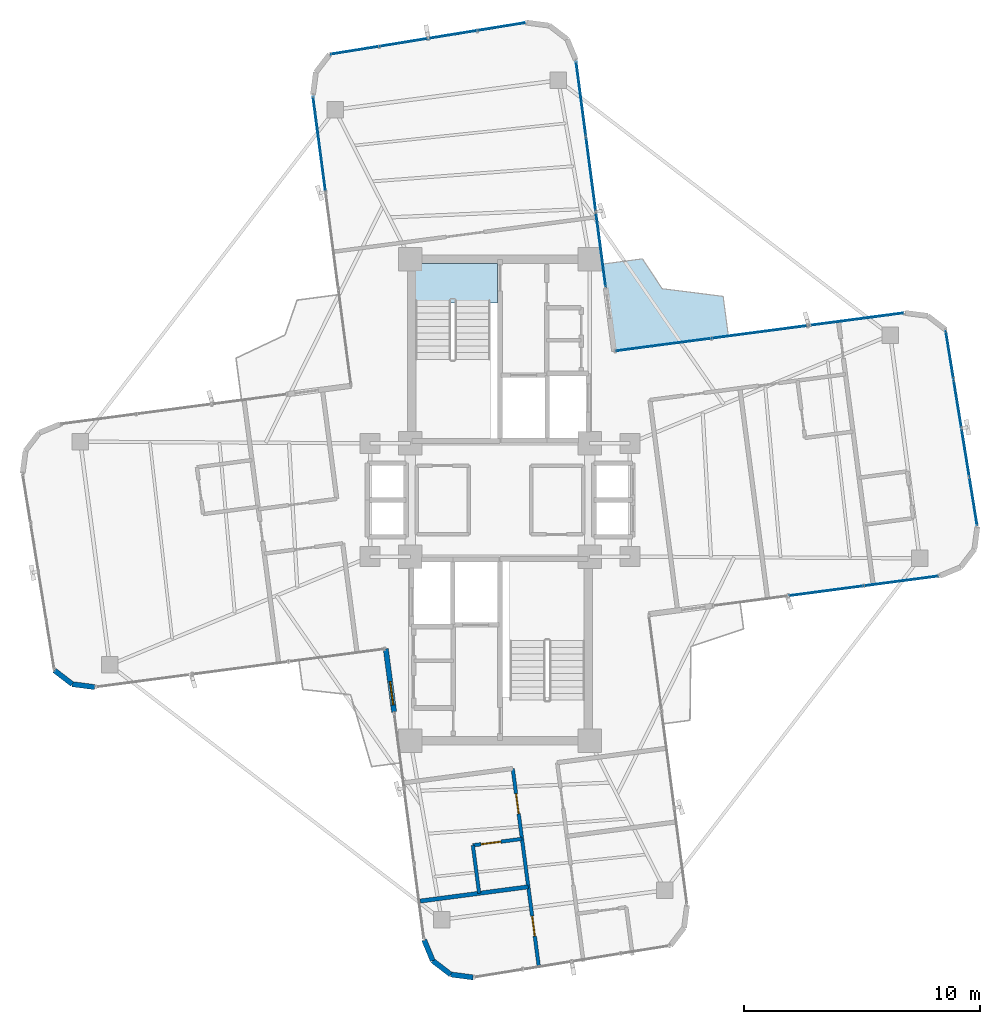
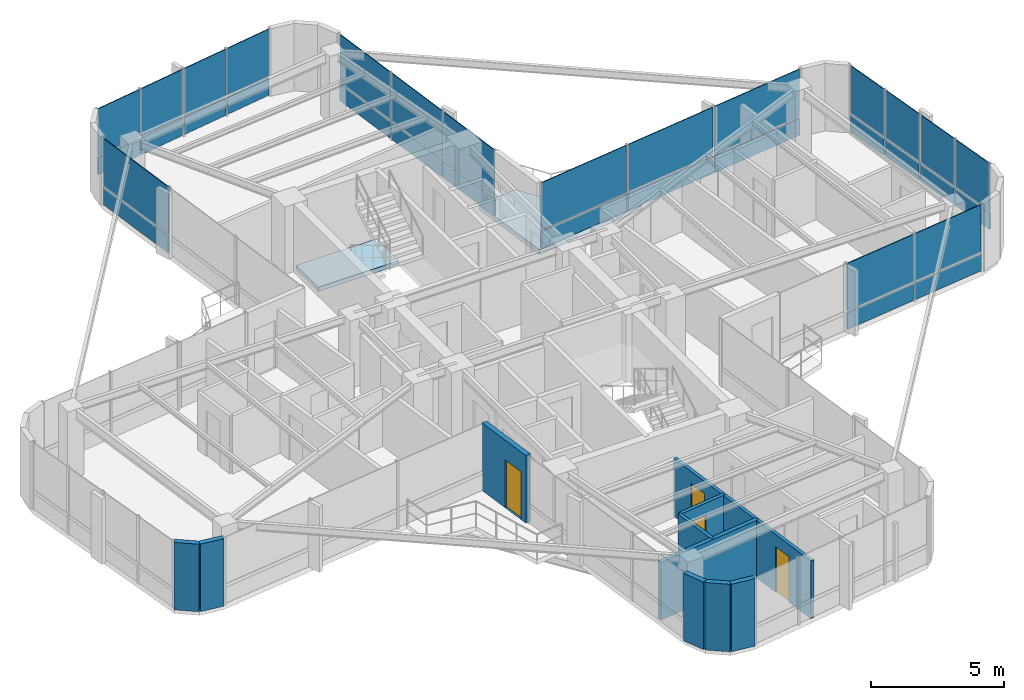
# One storey, part 18 of 22: 34 plates, 10 walls, 4 doors, 2 slabs, 4 openings, 6 elements without a shape of their own.
"""IFC4 building model written with IfcOpenShell, lengths in metres."""

from ifc_helpers import new_model, si_unit, direction, frame, frame_2d, origin, origin_2d, place, context, subcontext, project, spatial, polyline, rectangle, outline, extrude, source, transform, mapped, material, layer, layer_set, type_object, element, fill, aggregate, save


model = new_model("IFC4")

# Units and contexts
model_context = context("Model", 3, precision=1e-05, world=origin(), true_north=direction((0.0, 1.0)))
body_context = subcontext(model_context, "Body", "Model", "MODEL_VIEW")
ifc_project = project(units=[si_unit("LENGTHUNIT", "METRE"), si_unit("AREAUNIT", "SQUARE_METRE"), si_unit("VOLUMEUNIT", "CUBIC_METRE"), si_unit("PLANEANGLEUNIT", "RADIAN"), si_unit("MASSUNIT", "GRAM", prefix="KILO")], contexts=[model_context])

# Site, building, storey
site_placement = place(None, origin())
site = spatial("IfcSite", under=ifc_project, at=site_placement, CompositionType="ELEMENT")
building_placement = place(site_placement, origin())
building = spatial("IfcBuilding", under=site, at=building_placement, Name="Sahyath Konkavel Grand Hotel", CompositionType="ELEMENT")
storey_placement = place(building_placement, frame((0.0, 0.0, 241.14990234375)))
storey = spatial("IfcBuildingStorey", under=building, at=storey_placement, Name="L67", CompositionType="ELEMENT", Elevation=241.14990234375)

# Slabs
ifc_material_1 = material(Name="Concrete C40/50", Category="concrete")
ifc_layer_1 = layer(ifc_material_1, 0.219970703125)
ifc_layer_set_1 = layer_set([ifc_layer_1], Name="Concrete C40/50")
slab_type_1 = type_object("IfcSlabType", Name="SLB-BALCONY-220", PredefinedType="FLOOR", material=ifc_layer_set_1)
slab_1_placement = place(storey_placement, frame((0.0, 0.0, -0.219970703125)))
element("IfcSlab", 1, at=slab_1_placement, inside=storey, type_object=slab_type_1, Name="L67 Winter-Garden Balcony NE", PredefinedType="FLOOR", context=body_context, shape_type="SweptSolid", body=[
    extrude(outline(polyline([(4.839111328125, 6.306640625), (9.676513671875, 6.943359375), (9.454833984375, 8.62744140625), (6.8701171875, 8.953369140625), (6.03759765625, 10.217529296875), (4.353515625, 9.995849609375), (4.839111328125, 6.306640625)])), origin(), (0.0, 0.0, 1.0), 0.219970703125),
])
ifc_layer_2 = layer(ifc_material_1, 0.199951171875)
ifc_layer_set_2 = layer_set([ifc_layer_2], Name="Concrete C40/50")
slab_type_2 = type_object("IfcSlabType", Name="SLB-STAIR-LND", PredefinedType="LANDING", material=ifc_layer_set_2)
slab_2_placement = place(storey_placement, frame((0.0, 0.0, -0.199951171875)))
element("IfcSlab", 2, at=slab_2_placement, inside=storey, type_object=slab_type_2, Name="L67 Stair ST-1 Floor Landing Slab", PredefinedType="LANDING", context=body_context, shape_type="SweptSolid", body=[
    extrude(outline(polyline([(-3.6201171875, 8.35009765625), (-0.10009765625, 8.35009765625), (-0.10009765625, 10.02001953125), (-3.6201171875, 10.02001953125), (-3.6201171875, 8.35009765625)])), origin(), (0.0, 0.0, 1.0), 0.199951171875),
])

# Curtain wall, plates
ifc_material_2 = material(Name="Anodised Bronze Aluminium & Low-E Glazing", Category="aluminium")
curtain_wall_type = type_object("IfcCurtainWallType", Name="CW-ZONE4", PredefinedType="NOTDEFINED", material=ifc_material_2)
curtain_wall_1_placement = place(storey_placement, origin())
curtain_wall_1 = element("IfcCurtainWall", 3, at=curtain_wall_1_placement, inside=storey, type_object=curtain_wall_type, Name="L67 Unitised Curtain Wall F0", PredefinedType="NOTDEFINED")
ifc_material_3 = material(Name="Warm Buff Sandstone Cladding", Category="masonry")
ifc_layer_3 = layer(ifc_material_3, 0.074951171875)
ifc_layer_set_3 = layer_set([ifc_layer_3], Name="Warm Buff Sandstone Cladding")
plate_type_1 = type_object("IfcPlateType", Name="PNL-SPANDREL-STONE", PredefinedType="SHEET", material=ifc_layer_set_3)
shared_shape_1 = source(origin(), body_context, "Body", "SweptSolid", [
    extrude(rectangle(XDim=3.138671875, YDim=0.074951171875, at=origin_2d()), origin(), (0.0, 0.0, 1.0), 0.77001953125),
])
plate_1_placement = place(storey_placement, frame((13.809814453125, -3.851318359375, 0.0400390625), z_axis=(0.0, 0.0, 1.0), x_axis=(0.991444861374, 0.13052619222, 0.0)))
plate_1 = element("IfcPlate", 4, at=plate_1_placement, type_object=plate_type_1, Name="L67 Sandstone Relief Spandrel Panel F0-1", PredefinedType="SHEET", context=body_context, shape_type="MappedRepresentation", body=[
    mapped(shared_shape_1, transform((0.0, 0.0, 0.0), scale=1.0)),
])
plate_2_placement = place(storey_placement, frame((17.0009765625, -3.431396484375, 0.0400390625), z_axis=(0.0, 0.0, 1.0), x_axis=(0.991444861374, 0.13052619222, 0.0)))
plate_2 = element("IfcPlate", 5, at=plate_2_placement, type_object=plate_type_1, Name="L67 Sandstone Relief Spandrel Panel F0-2", PredefinedType="SHEET", context=body_context, shape_type="MappedRepresentation", body=[
    mapped(shared_shape_1, transform((0.0, 0.0, 0.0), scale=1.0)),
])

curtain_wall_2_placement = place(storey_placement, origin())
curtain_wall_2 = element("IfcCurtainWall", 6, at=curtain_wall_2_placement, inside=storey, type_object=curtain_wall_type, Name="L67 Unitised Curtain Wall F8", PredefinedType="NOTDEFINED")
plate_3_placement = place(storey_placement, frame((4.271484375, 10.61865234375, 0.0400390625), z_axis=(0.0, 0.0, 1.0), x_axis=(-0.13052619222, 0.991444861374, 0.0)))
plate_3 = element("IfcPlate", 7, at=plate_3_placement, type_object=plate_type_1, Name="L67 Sandstone Relief Spandrel Panel F8-0", PredefinedType="SHEET", context=body_context, shape_type="MappedRepresentation", body=[
    mapped(shared_shape_1, transform((0.0, 0.0, 0.0), scale=1.0)),
])
plate_4_placement = place(storey_placement, frame((3.851318359375, 13.809814453125, 0.0400390625), z_axis=(0.0, 0.0, 1.0), x_axis=(-0.13052619222, 0.991444861374, 0.0)))
plate_4 = element("IfcPlate", 8, at=plate_4_placement, type_object=plate_type_1, Name="L67 Sandstone Relief Spandrel Panel F8-1", PredefinedType="SHEET", context=body_context, shape_type="MappedRepresentation", body=[
    mapped(shared_shape_1, transform((0.0, 0.0, 0.0), scale=1.0)),
])
plate_5_placement = place(storey_placement, frame((3.431396484375, 17.0009765625, 0.0400390625), z_axis=(0.0, 0.0, 1.0), x_axis=(-0.13052619222, 0.991444861374, 0.0)))
plate_5 = element("IfcPlate", 9, at=plate_5_placement, type_object=plate_type_1, Name="L67 Sandstone Relief Spandrel Panel F8-2", PredefinedType="SHEET", context=body_context, shape_type="MappedRepresentation", body=[
    mapped(shared_shape_1, transform((0.0, 0.0, 0.0), scale=1.0)),
])

# Plate
ifc_material_4 = material(Name="Low-E Solar Control Double Glazing", Category="glass")
ifc_layer_4 = layer(ifc_material_4, 0.035888671875)
ifc_layer_set_4 = layer_set([ifc_layer_4], Name="Low-E Solar Control Double Glazing")
plate_type_2 = type_object("IfcPlateType", Name="PNL-VISION-LOWE", PredefinedType="CURTAIN_PANEL", material=ifc_layer_set_4)
shared_shape_2 = source(origin(), body_context, "Body", "SweptSolid", [
    extrude(rectangle(XDim=3.138671875, YDim=0.035888671875, at=origin_2d()), origin(), (0.0, 0.0, 1.0), 2.179931640625),
])
plate_6_placement = place(storey_placement, frame((13.809814453125, -3.851318359375, 0.89013671875), z_axis=(0.0, 0.0, 1.0), x_axis=(0.991444861374, 0.13052619222, 0.0)))
plate_6 = element("IfcPlate", 10, at=plate_6_placement, type_object=plate_type_2, Name="L67 Low-E Vision Glazing Panel F0-1", PredefinedType="CURTAIN_PANEL", context=body_context, shape_type="MappedRepresentation", body=[
    mapped(shared_shape_2, transform((0.0, 0.0, 0.0), scale=1.0)),
])

plate_7_placement = place(storey_placement, frame((17.0009765625, -3.431396484375, 0.89013671875), z_axis=(0.0, 0.0, 1.0), x_axis=(0.991444861374, 0.13052619222, 0.0)))
plate_7 = element("IfcPlate", 11, at=plate_7_placement, type_object=plate_type_2, Name="L67 Low-E Vision Glazing Panel F0-2", PredefinedType="CURTAIN_PANEL", context=body_context, shape_type="MappedRepresentation", body=[
    mapped(shared_shape_2, transform((0.0, 0.0, 0.0), scale=1.0)),
])

aggregate(curtain_wall_1, [plate_1, plate_6, plate_2, plate_7])

plate_8_placement = place(storey_placement, frame((4.271484375, 10.61865234375, 0.89013671875), z_axis=(0.0, 0.0, 1.0), x_axis=(-0.13052619222, 0.991444861374, 0.0)))
plate_8 = element("IfcPlate", 12, at=plate_8_placement, type_object=plate_type_2, Name="L67 Low-E Vision Glazing Panel F8-0", PredefinedType="CURTAIN_PANEL", context=body_context, shape_type="MappedRepresentation", body=[
    mapped(shared_shape_2, transform((0.0, 0.0, 0.0), scale=1.0)),
])

plate_9_placement = place(storey_placement, frame((3.851318359375, 13.809814453125, 0.89013671875), z_axis=(0.0, 0.0, 1.0), x_axis=(-0.13052619222, 0.991444861374, 0.0)))
plate_9 = element("IfcPlate", 13, at=plate_9_placement, type_object=plate_type_2, Name="L67 Low-E Vision Glazing Panel F8-1", PredefinedType="CURTAIN_PANEL", context=body_context, shape_type="MappedRepresentation", body=[
    mapped(shared_shape_2, transform((0.0, 0.0, 0.0), scale=1.0)),
])

plate_10_placement = place(storey_placement, frame((3.431396484375, 17.0009765625, 0.89013671875), z_axis=(0.0, 0.0, 1.0), x_axis=(-0.13052619222, 0.991444861374, 0.0)))
plate_10 = element("IfcPlate", 14, at=plate_10_placement, type_object=plate_type_2, Name="L67 Low-E Vision Glazing Panel F8-2", PredefinedType="CURTAIN_PANEL", context=body_context, shape_type="MappedRepresentation", body=[
    mapped(shared_shape_2, transform((0.0, 0.0, 0.0), scale=1.0)),
])

aggregate(curtain_wall_2, [plate_3, plate_8, plate_4, plate_9, plate_5, plate_10])

# Curtain wall, plates
curtain_wall_3_placement = place(storey_placement, origin())
curtain_wall_3 = element("IfcCurtainWall", 15, at=curtain_wall_3_placement, inside=storey, type_object=curtain_wall_type, Name="L67 Unitised Curtain Wall F4", PredefinedType="NOTDEFINED")
shared_shape_3 = source(origin(), body_context, "Body", "SweptSolid", [
    extrude(rectangle(XDim=2.017578125, YDim=0.074951171875, at=origin_2d()), origin(), (0.0, 0.0, 1.0), 0.77001953125),
])
plate_11_placement = place(storey_placement, frame((20.055419921875, -0.0654296875, 0.0400390625), z_axis=(0.0, 0.0, 1.0), x_axis=(-0.159484912927, 0.987200365959, 0.0)))
plate_11 = element("IfcPlate", 16, at=plate_11_placement, type_object=plate_type_1, Name="L67 Sandstone Relief Spandrel Panel F4-0", PredefinedType="SHEET", context=body_context, shape_type="MappedRepresentation", body=[
    mapped(shared_shape_3, transform((0.0, 0.0, 0.0), scale=1.0)),
])
plate_12_placement = place(storey_placement, frame((19.720703125, 2.00537109375, 0.0400390625), z_axis=(0.0, 0.0, 1.0), x_axis=(-0.159484912927, 0.987200365959, 0.0)))
plate_12 = element("IfcPlate", 17, at=plate_12_placement, type_object=plate_type_1, Name="L67 Sandstone Relief Spandrel Panel F4-1", PredefinedType="SHEET", context=body_context, shape_type="MappedRepresentation", body=[
    mapped(shared_shape_3, transform((0.0, 0.0, 0.0), scale=1.0)),
])
plate_13_placement = place(storey_placement, frame((19.38623046875, 4.076171875, 0.0400390625), z_axis=(0.0, 0.0, 1.0), x_axis=(-0.159484912927, 0.987200365959, 0.0)))
plate_13 = element("IfcPlate", 18, at=plate_13_placement, type_object=plate_type_1, Name="L67 Sandstone Relief Spandrel Panel F4-2", PredefinedType="SHEET", context=body_context, shape_type="MappedRepresentation", body=[
    mapped(shared_shape_3, transform((0.0, 0.0, 0.0), scale=1.0)),
])
plate_14_placement = place(storey_placement, frame((19.0517578125, 6.14697265625, 0.0400390625), z_axis=(0.0, 0.0, 1.0), x_axis=(-0.159484912927, 0.987200365959, 0.0)))
plate_14 = element("IfcPlate", 19, at=plate_14_placement, type_object=plate_type_1, Name="L67 Sandstone Relief Spandrel Panel F4-3", PredefinedType="SHEET", context=body_context, shape_type="MappedRepresentation", body=[
    mapped(shared_shape_3, transform((0.0, 0.0, 0.0), scale=1.0)),
])

curtain_wall_4_placement = place(storey_placement, origin())
curtain_wall_4 = element("IfcCurtainWall", 20, at=curtain_wall_4_placement, inside=storey, type_object=curtain_wall_type, Name="L67 Unitised Curtain Wall F12", PredefinedType="NOTDEFINED")
plate_15_placement = place(storey_placement, frame((0.0654296875, 20.055419921875, 0.0400390625), z_axis=(0.0, 0.0, 1.0), x_axis=(-0.987200365959, -0.159484912927, 0.0)))
plate_15 = element("IfcPlate", 21, at=plate_15_placement, type_object=plate_type_1, Name="L67 Sandstone Relief Spandrel Panel F12-0", PredefinedType="SHEET", context=body_context, shape_type="MappedRepresentation", body=[
    mapped(shared_shape_3, transform((0.0, 0.0, 0.0), scale=1.0)),
])
plate_16_placement = place(storey_placement, frame((-2.00537109375, 19.720703125, 0.0400390625), z_axis=(0.0, 0.0, 1.0), x_axis=(-0.987200365959, -0.159484912927, 0.0)))
plate_16 = element("IfcPlate", 22, at=plate_16_placement, type_object=plate_type_1, Name="L67 Sandstone Relief Spandrel Panel F12-1", PredefinedType="SHEET", context=body_context, shape_type="MappedRepresentation", body=[
    mapped(shared_shape_3, transform((0.0, 0.0, 0.0), scale=1.0)),
])
plate_17_placement = place(storey_placement, frame((-4.076171875, 19.38623046875, 0.0400390625), z_axis=(0.0, 0.0, 1.0), x_axis=(-0.987200365959, -0.159484912927, 0.0)))
plate_17 = element("IfcPlate", 23, at=plate_17_placement, type_object=plate_type_1, Name="L67 Sandstone Relief Spandrel Panel F12-2", PredefinedType="SHEET", context=body_context, shape_type="MappedRepresentation", body=[
    mapped(shared_shape_3, transform((0.0, 0.0, 0.0), scale=1.0)),
])
plate_18_placement = place(storey_placement, frame((-6.14697265625, 19.0517578125, 0.0400390625), z_axis=(0.0, 0.0, 1.0), x_axis=(-0.987200365959, -0.159484912927, 0.0)))
plate_18 = element("IfcPlate", 24, at=plate_18_placement, type_object=plate_type_1, Name="L67 Sandstone Relief Spandrel Panel F12-3", PredefinedType="SHEET", context=body_context, shape_type="MappedRepresentation", body=[
    mapped(shared_shape_3, transform((0.0, 0.0, 0.0), scale=1.0)),
])

# Plate
shared_shape_4 = source(origin(), body_context, "Body", "SweptSolid", [
    extrude(rectangle(XDim=2.017578125, YDim=0.035888671875, at=origin_2d()), origin(), (0.0, 0.0, 1.0), 2.179931640625),
])
plate_19_placement = place(storey_placement, frame((20.055419921875, -0.0654296875, 0.89013671875), z_axis=(0.0, 0.0, 1.0), x_axis=(-0.159484912927, 0.987200365959, 0.0)))
plate_19 = element("IfcPlate", 25, at=plate_19_placement, type_object=plate_type_2, Name="L67 Low-E Vision Glazing Panel F4-0", PredefinedType="CURTAIN_PANEL", context=body_context, shape_type="MappedRepresentation", body=[
    mapped(shared_shape_4, transform((0.0, 0.0, 0.0), scale=1.0)),
])

plate_20_placement = place(storey_placement, frame((19.720703125, 2.00537109375, 0.89013671875), z_axis=(0.0, 0.0, 1.0), x_axis=(-0.159484912927, 0.987200365959, 0.0)))
plate_20 = element("IfcPlate", 26, at=plate_20_placement, type_object=plate_type_2, Name="L67 Low-E Vision Glazing Panel F4-1", PredefinedType="CURTAIN_PANEL", context=body_context, shape_type="MappedRepresentation", body=[
    mapped(shared_shape_4, transform((0.0, 0.0, 0.0), scale=1.0)),
])

plate_21_placement = place(storey_placement, frame((19.38623046875, 4.076171875, 0.89013671875), z_axis=(0.0, 0.0, 1.0), x_axis=(-0.159484912927, 0.987200365959, 0.0)))
plate_21 = element("IfcPlate", 27, at=plate_21_placement, type_object=plate_type_2, Name="L67 Low-E Vision Glazing Panel F4-2", PredefinedType="CURTAIN_PANEL", context=body_context, shape_type="MappedRepresentation", body=[
    mapped(shared_shape_4, transform((0.0, 0.0, 0.0), scale=1.0)),
])

plate_22_placement = place(storey_placement, frame((19.0517578125, 6.14697265625, 0.89013671875), z_axis=(0.0, 0.0, 1.0), x_axis=(-0.159484912927, 0.987200365959, 0.0)))
plate_22 = element("IfcPlate", 28, at=plate_22_placement, type_object=plate_type_2, Name="L67 Low-E Vision Glazing Panel F4-3", PredefinedType="CURTAIN_PANEL", context=body_context, shape_type="MappedRepresentation", body=[
    mapped(shared_shape_4, transform((0.0, 0.0, 0.0), scale=1.0)),
])

aggregate(curtain_wall_3, [plate_11, plate_19, plate_12, plate_20, plate_13, plate_21, plate_14, plate_22])

plate_23_placement = place(storey_placement, frame((0.0654296875, 20.055419921875, 0.89013671875), z_axis=(0.0, 0.0, 1.0), x_axis=(-0.987200365959, -0.159484912927, 0.0)))
plate_23 = element("IfcPlate", 29, at=plate_23_placement, type_object=plate_type_2, Name="L67 Low-E Vision Glazing Panel F12-0", PredefinedType="CURTAIN_PANEL", context=body_context, shape_type="MappedRepresentation", body=[
    mapped(shared_shape_4, transform((0.0, 0.0, 0.0), scale=1.0)),
])

plate_24_placement = place(storey_placement, frame((-2.00537109375, 19.720703125, 0.89013671875), z_axis=(0.0, 0.0, 1.0), x_axis=(-0.987200365959, -0.159484912927, 0.0)))
plate_24 = element("IfcPlate", 30, at=plate_24_placement, type_object=plate_type_2, Name="L67 Low-E Vision Glazing Panel F12-1", PredefinedType="CURTAIN_PANEL", context=body_context, shape_type="MappedRepresentation", body=[
    mapped(shared_shape_4, transform((0.0, 0.0, 0.0), scale=1.0)),
])

plate_25_placement = place(storey_placement, frame((-4.076171875, 19.38623046875, 0.89013671875), z_axis=(0.0, 0.0, 1.0), x_axis=(-0.987200365959, -0.159484912927, 0.0)))
plate_25 = element("IfcPlate", 31, at=plate_25_placement, type_object=plate_type_2, Name="L67 Low-E Vision Glazing Panel F12-2", PredefinedType="CURTAIN_PANEL", context=body_context, shape_type="MappedRepresentation", body=[
    mapped(shared_shape_4, transform((0.0, 0.0, 0.0), scale=1.0)),
])

plate_26_placement = place(storey_placement, frame((-6.14697265625, 19.0517578125, 0.89013671875), z_axis=(0.0, 0.0, 1.0), x_axis=(-0.987200365959, -0.159484912927, 0.0)))
plate_26 = element("IfcPlate", 32, at=plate_26_placement, type_object=plate_type_2, Name="L67 Low-E Vision Glazing Panel F12-3", PredefinedType="CURTAIN_PANEL", context=body_context, shape_type="MappedRepresentation", body=[
    mapped(shared_shape_4, transform((0.0, 0.0, 0.0), scale=1.0)),
])

aggregate(curtain_wall_4, [plate_15, plate_23, plate_16, plate_24, plate_17, plate_25, plate_18, plate_26])

# Curtain wall, plates
curtain_wall_5_placement = place(storey_placement, origin())
curtain_wall_5 = element("IfcCurtainWall", 33, at=curtain_wall_5_placement, inside=storey, type_object=curtain_wall_type, Name="L67 Unitised Curtain Wall F7", PredefinedType="NOTDEFINED")
shared_shape_5 = source(origin(), body_context, "Body", "SweptSolid", [
    extrude(rectangle(XDim=4.038818359375, YDim=0.074951171875, at=origin_2d()), origin(), (0.0, 0.0, 1.0), 0.77001953125),
])
plate_27_placement = place(storey_placement, frame((15.08740234375, 7.65576171875, 0.0400390625), z_axis=(0.0, 0.0, 1.0), x_axis=(-0.991444861374, -0.13052619222, 0.0)))
plate_27 = element("IfcPlate", 34, at=plate_27_placement, type_object=plate_type_1, Name="L67 Sandstone Relief Spandrel Panel F7-0", PredefinedType="SHEET", context=body_context, shape_type="MappedRepresentation", body=[
    mapped(shared_shape_5, transform((0.0, 0.0, 0.0), scale=1.0)),
])
plate_28_placement = place(storey_placement, frame((11.00390625, 7.1181640625, 0.0400390625), z_axis=(0.0, 0.0, 1.0), x_axis=(-0.991444861374, -0.13052619222, 0.0)))
plate_28 = element("IfcPlate", 35, at=plate_28_placement, type_object=plate_type_1, Name="L67 Sandstone Relief Spandrel Panel F7-1", PredefinedType="SHEET", context=body_context, shape_type="MappedRepresentation", body=[
    mapped(shared_shape_5, transform((0.0, 0.0, 0.0), scale=1.0)),
])
plate_29_placement = place(storey_placement, frame((6.920654296875, 6.58056640625, 0.0400390625), z_axis=(0.0, 0.0, 1.0), x_axis=(-0.991444861374, -0.13052619222, 0.0)))
plate_29 = element("IfcPlate", 36, at=plate_29_placement, type_object=plate_type_1, Name="L67 Sandstone Relief Spandrel Panel F7-2", PredefinedType="SHEET", context=body_context, shape_type="MappedRepresentation", body=[
    mapped(shared_shape_5, transform((0.0, 0.0, 0.0), scale=1.0)),
])

# Curtain wall, plate
curtain_wall_6_placement = place(storey_placement, origin())
curtain_wall_6 = element("IfcCurtainWall", 37, at=curtain_wall_6_placement, inside=storey, type_object=curtain_wall_type, Name="L67 Unitised Curtain Wall F15", PredefinedType="NOTDEFINED")
plate_30_placement = place(storey_placement, frame((-7.65576171875, 15.08740234375, 0.0400390625), z_axis=(0.0, 0.0, 1.0), x_axis=(0.13052619222, -0.991444861374, 0.0)))
plate_30 = element("IfcPlate", 38, at=plate_30_placement, type_object=plate_type_1, Name="L67 Sandstone Relief Spandrel Panel F15-0", PredefinedType="SHEET", context=body_context, shape_type="MappedRepresentation", body=[
    mapped(shared_shape_5, transform((0.0, 0.0, 0.0), scale=1.0)),
])

# Plate
shared_shape_6 = source(origin(), body_context, "Body", "SweptSolid", [
    extrude(rectangle(XDim=4.038818359375, YDim=0.035888671875, at=origin_2d()), origin(), (0.0, 0.0, 1.0), 2.179931640625),
])
plate_31_placement = place(storey_placement, frame((15.08740234375, 7.65576171875, 0.89013671875), z_axis=(0.0, 0.0, 1.0), x_axis=(-0.991444861374, -0.13052619222, 0.0)))
plate_31 = element("IfcPlate", 39, at=plate_31_placement, type_object=plate_type_2, Name="L67 Low-E Vision Glazing Panel F7-0", PredefinedType="CURTAIN_PANEL", context=body_context, shape_type="MappedRepresentation", body=[
    mapped(shared_shape_6, transform((0.0, 0.0, 0.0), scale=1.0)),
])

plate_32_placement = place(storey_placement, frame((11.00390625, 7.1181640625, 0.89013671875), z_axis=(0.0, 0.0, 1.0), x_axis=(-0.991444861374, -0.13052619222, 0.0)))
plate_32 = element("IfcPlate", 40, at=plate_32_placement, type_object=plate_type_2, Name="L67 Low-E Vision Glazing Panel F7-1", PredefinedType="CURTAIN_PANEL", context=body_context, shape_type="MappedRepresentation", body=[
    mapped(shared_shape_6, transform((0.0, 0.0, 0.0), scale=1.0)),
])

plate_33_placement = place(storey_placement, frame((6.920654296875, 6.58056640625, 0.89013671875), z_axis=(0.0, 0.0, 1.0), x_axis=(-0.991444861374, -0.13052619222, 0.0)))
plate_33 = element("IfcPlate", 41, at=plate_33_placement, type_object=plate_type_2, Name="L67 Low-E Vision Glazing Panel F7-2", PredefinedType="CURTAIN_PANEL", context=body_context, shape_type="MappedRepresentation", body=[
    mapped(shared_shape_6, transform((0.0, 0.0, 0.0), scale=1.0)),
])

aggregate(curtain_wall_5, [plate_27, plate_31, plate_28, plate_32, plate_29, plate_33])

plate_34_placement = place(storey_placement, frame((-7.65576171875, 15.08740234375, 0.89013671875), z_axis=(0.0, 0.0, 1.0), x_axis=(0.13052619222, -0.991444861374, 0.0)))
plate_34 = element("IfcPlate", 42, at=plate_34_placement, type_object=plate_type_2, Name="L67 Low-E Vision Glazing Panel F15-0", PredefinedType="CURTAIN_PANEL", context=body_context, shape_type="MappedRepresentation", body=[
    mapped(shared_shape_6, transform((0.0, 0.0, 0.0), scale=1.0)),
])

aggregate(curtain_wall_6, [plate_30, plate_34])

# Walls
ifc_material_5 = material(Name="Warm Buff Sandstone Insulated Concrete C40/50", Category="masonry")
ifc_layer_5 = layer(ifc_material_5, 0.219970703125)
ifc_layer_set_5 = layer_set([ifc_layer_5], Name="Warm Buff Sandstone Insulated Concrete C40/50")
wall_type_1 = type_object("IfcWallType", Name="WLL-BALC-THRESH", PredefinedType="STANDARD", material=ifc_layer_set_5)
wall_1_placement = place(storey_placement, frame((-18.8779296875, -7.221923828125, 0.0), z_axis=(0.0, 0.0, 1.0), x_axis=(0.793372339443, -0.608736668033, 0.0)))
element("IfcWall", 43, at=wall_1_placement, inside=storey, type_object=wall_type_1, Name="L67 Rounded Corner Sandstone Pier 21", PredefinedType="STANDARD", context=body_context, shape_type="SweptSolid", body=[
    extrude(rectangle(XDim=0.957275390625, YDim=0.219970703125, at=frame_2d((0.478515625, 0.0))), origin(), (0.0, 0.0, 1.0), 3.110107421875),
])
wall_2_placement = place(storey_placement, frame((-18.118408203125, -7.8046875, 0.0), z_axis=(0.0, 0.0, 1.0), x_axis=(0.991449089759, -0.130494070426, 0.0)))
element("IfcWall", 44, at=wall_2_placement, inside=storey, type_object=wall_type_1, Name="L67 Rounded Corner Sandstone Pier 22", PredefinedType="STANDARD", context=body_context, shape_type="SweptSolid", body=[
    extrude(rectangle(XDim=0.9580078125, YDim=0.219970703125, at=frame_2d((0.47900390625, 0.0))), origin(), (0.0, 0.0, 1.0), 3.110107421875),
])

# Wall, opening, door
wall_3_placement = place(storey_placement, frame((-4.839111328125, -6.306640625, 0.0), z_axis=(0.0, 0.0, 1.0), x_axis=(0.130487261016, -0.991449985986, 0.0)))
wall_3 = element("IfcWall", 45, at=wall_3_placement, inside=storey, type_object=wall_type_1, Name="L67 Winter-Garden Threshold Wall 24", PredefinedType="STANDARD", context=body_context, shape_type="SweptSolid", body=[
    extrude(rectangle(XDim=2.699951171875, YDim=0.219970703125, at=frame_2d((1.35009765625, 0.0))), origin(), (0.0, 0.0, 1.0), 3.110107421875),
])
opening_1_placement = place(wall_3_placement, frame((1.39990234375, 0.0, 0.0)))
opening_1 = element("IfcOpeningElement", 46, at=opening_1_placement, cuts=wall_3, Name="Opening D-TR1", PredefinedType="OPENING", context=body_context, shape_type="SweptSolid", body=[
    extrude(rectangle(XDim=1.0, YDim=2.199951171875, at=frame_2d((0.5, 1.10009765625))), frame((0.0, 0.1201171875, 0.0), z_axis=(0.0, -1.0, 0.0), x_axis=(1.0, 0.0, 0.0)), (0.0, 0.0, 1.0), 0.239990234375),
])
door_type_1 = type_object("IfcDoorType", Name="DR-TERRACE-1000", OperationType="NOTDEFINED", PredefinedType="DOOR", material=ifc_material_2)
shared_shape_7 = source(origin(), body_context, "Body", "SweptSolid", [
    extrude(rectangle(XDim=1.0, YDim=0.050048828125, at=origin_2d()), origin(), (0.0, 0.0, 1.0), 2.199951171875),
])
door_1_placement = place(opening_1_placement, frame((0.5, 0.0, 0.0)))
door_1 = element("IfcDoor", 47, at=door_1_placement, inside=storey, type_object=door_type_1, Name="L67 Winter-Garden Terrace Door 24", OperationType="SINGLE_SWING_LEFT", OverallHeight=2.199951171875, OverallWidth=1.0, PredefinedType="DOOR", context=body_context, shape_type="MappedRepresentation", body=[
    mapped(shared_shape_7, transform((0.0, 0.0, 0.0), scale=1.0)),
])
fill(opening_1, door_1)

# Walls
for number, where, z_axis, x_axis, name in (
    (48, (-3.216064453125, -18.63623046875, 0.0), (0.0, 0.0, 1.0), (0.382659506909, -0.923889442397, 0.0), "L67 Rounded Corner Sandstone Pier 25"),
    (49, (-2.849609375, -19.52099609375, 0.0), (0.0, 0.0, 1.0), (0.793343685778, -0.608774010809, 0.0), "L67 Rounded Corner Sandstone Pier 26"),
    (50, (-2.08984375, -20.10400390625, 0.0), (0.0, 0.0, 1.0), (0.991444747987, -0.130527053476, 0.0), "L67 Rounded Corner Sandstone Pier 27"),
):
    element("IfcWall", number, at=place(storey_placement, frame(where, z_axis=z_axis, x_axis=x_axis)), inside=storey, type_object=wall_type_1, Name=name, PredefinedType="STANDARD", context=body_context, shape_type="SweptSolid", body=[
        extrude(rectangle(XDim=0.957763671875, YDim=0.219970703125, at=frame_2d((0.47900390625, 0.0))), origin(), (0.0, 0.0, 1.0), 3.110107421875),
    ])
ifc_material_6 = material(Name="Twin-Stud Acoustic Gypsum Plasterboard Partition")
ifc_layer_6 = layer(ifc_material_6, 0.179931640625)
ifc_layer_set_6 = layer_set([ifc_layer_6], Name="Twin-Stud Acoustic Gypsum Plasterboard Partition")
wall_type_2 = type_object("IfcWallType", Name="WLL-DEMISE-180", PredefinedType="PARTITIONING", material=ifc_layer_set_6)
wall_4_placement = place(storey_placement, frame((1.19970703125, -16.390625, 0.0), z_axis=(0.0, 0.0, 1.0), x_axis=(-0.991442063263, -0.130547444225, 0.0)))
element("IfcWall", 51, at=wall_4_placement, inside=storey, type_object=wall_type_2, Name="L67 Partition S-S1R-DEM", PredefinedType="PARTITIONING", context=body_context, shape_type="SweptSolid", body=[
    extrude(rectangle(XDim=4.62109375, YDim=0.179931640625, at=frame_2d((2.310546875, 0.0))), origin(), (0.0, 0.0, 1.0), 2.66015625),
])

# Wall, openings, doors
ifc_material_7 = material(Name="Fire-Rated Gypsum Plasterboard Partition")
ifc_layer_7 = layer(ifc_material_7, 0.14990234375)
ifc_layer_set_7 = layer_set([ifc_layer_7], Name="Fire-Rated Gypsum Plasterboard Partition")
wall_type_3 = type_object("IfcWallType", Name="WLL-PART-150", PredefinedType="PARTITIONING", material=ifc_layer_set_7)
wall_5_placement = place(storey_placement, frame((0.53955078125, -11.376953125, 0.0), z_axis=(0.0, 0.0, 1.0), x_axis=(0.130524297004, -0.991445110882, 0.0)))
wall_5 = element("IfcWall", 52, at=wall_5_placement, inside=storey, type_object=wall_type_3, Name="L67 Partition S-CR", PredefinedType="PARTITIONING", context=body_context, shape_type="SweptSolid", body=[
    extrude(rectangle(XDim=8.5068359375, YDim=0.14990234375, at=frame_2d((4.25341796875, 0.0))), origin(), (0.0, 0.0, 1.0), 2.66015625),
])
opening_2_placement = place(wall_5_placement, frame((1.0791015625, 0.0, 0.0)))
opening_2 = element("IfcOpeningElement", 53, at=opening_2_placement, cuts=wall_5, Name="Opening D-F06D", PredefinedType="OPENING", context=body_context, shape_type="SweptSolid", body=[
    extrude(rectangle(XDim=0.85009765625, YDim=2.10009765625, at=frame_2d((0.425048828125, 1.050048828125))), frame((0.0, 0.0849609375, 0.0), z_axis=(0.0, -1.0, 0.0), x_axis=(1.0, 0.0, 0.0)), (0.0, 0.0, 1.0), 0.169921875),
])
opening_3_placement = place(wall_5_placement, frame((6.306884765625, 0.0, 0.0)))
opening_3 = element("IfcOpeningElement", 54, at=opening_3_placement, cuts=wall_5, Name="Opening D-F06D", PredefinedType="OPENING", context=body_context, shape_type="SweptSolid", body=[
    extrude(rectangle(XDim=0.85009765625, YDim=2.10009765625, at=frame_2d((0.425048828125, 1.050048828125))), frame((0.0, 0.0849609375, 0.0), z_axis=(0.0, -1.0, 0.0), x_axis=(1.0, 0.0, 0.0)), (0.0, 0.0, 1.0), 0.169921875),
])
ifc_material_8 = material(Name="Fire-Rated Shaft Access Door")
door_type_2 = type_object("IfcDoorType", Name="DR-FD60-850", OperationType="NOTDEFINED", PredefinedType="DOOR", material=ifc_material_8)
shared_shape_8 = source(origin(), body_context, "Body", "SweptSolid", [
    extrude(rectangle(XDim=0.85009765625, YDim=0.050048828125, at=origin_2d()), origin(), (0.0, 0.0, 1.0), 2.10009765625),
])
door_2_placement = place(opening_2_placement, frame((0.425048828125, 0.0, 0.0)))
door_2 = element("IfcDoor", 55, at=door_2_placement, inside=storey, type_object=door_type_2, Name="L67 Door S-S1R-ED", OperationType="SINGLE_SWING_RIGHT", OverallHeight=2.10009765625, OverallWidth=0.85009765625, PredefinedType="DOOR", context=body_context, shape_type="MappedRepresentation", body=[
    mapped(shared_shape_8, transform((0.0, 0.0, 0.0), scale=1.0)),
])
fill(opening_2, door_2)
door_3_placement = place(opening_3_placement, frame((0.425048828125, 0.0, 0.0)))
door_3 = element("IfcDoor", 56, at=door_3_placement, inside=storey, type_object=door_type_2, Name="L67 Door S-S2R-D", OperationType="SINGLE_SWING_LEFT", OverallHeight=2.10009765625, OverallWidth=0.85009765625, PredefinedType="DOOR", context=body_context, shape_type="MappedRepresentation", body=[
    mapped(shared_shape_8, transform((0.0, 0.0, 0.0), scale=1.0)),
])
fill(opening_3, door_3)

# Wall, opening, door
wall_6_placement = place(storey_placement, frame((0.93212890625, -14.358154296875, 0.0), z_axis=(0.0, 0.0, 1.0), x_axis=(-0.991440836415, -0.130556761174, 0.0)))
wall_6 = element("IfcWall", 57, at=wall_6_placement, inside=storey, type_object=wall_type_3, Name="L67 Partition S-S1R-BS", PredefinedType="PARTITIONING", context=body_context, shape_type="SweptSolid", body=[
    extrude(rectangle(XDim=2.10009765625, YDim=0.14990234375, at=frame_2d((1.050048828125, 0.0))), origin(), (0.0, 0.0, 1.0), 2.66015625),
])
opening_4_placement = place(wall_6_placement, frame((0.89990234375, 0.0, 0.0)))
opening_4 = element("IfcOpeningElement", 58, at=opening_4_placement, cuts=wall_6, Name="Opening D-BT85", PredefinedType="OPENING", context=body_context, shape_type="SweptSolid", body=[
    extrude(rectangle(XDim=0.85009765625, YDim=2.10009765625, at=frame_2d((0.425048828125, 1.050048828125))), frame((0.0, 0.0849609375, 0.0), z_axis=(0.0, -1.0, 0.0), x_axis=(1.0, 0.0, 0.0)), (0.0, 0.0, 1.0), 0.169921875),
])
ifc_material_9 = material(Name="Moisture-Resistant Teak Bathroom Door")
door_type_3 = type_object("IfcDoorType", Name="DR-BATH-850", OperationType="NOTDEFINED", PredefinedType="DOOR", material=ifc_material_9)
door_4_placement = place(opening_4_placement, frame((0.425048828125, 0.0, 0.0)))
door_4 = element("IfcDoor", 59, at=door_4_placement, inside=storey, type_object=door_type_3, Name="L67 Door S-S1R-BD", OperationType="SINGLE_SWING_LEFT", OverallHeight=2.10009765625, OverallWidth=0.85009765625, PredefinedType="DOOR", context=body_context, shape_type="MappedRepresentation", body=[
    mapped(shared_shape_8, transform((0.0, 0.0, 0.0), scale=1.0)),
])
fill(opening_4, door_4)

# Wall
wall_7_placement = place(storey_placement, frame((-1.14990234375, -14.63232421875, 0.0), z_axis=(0.0, 0.0, 1.0), x_axis=(0.13052536781, -0.991444969909, 0.0)))
element("IfcWall", 60, at=wall_7_placement, inside=storey, type_object=wall_type_3, Name="L67 Partition S-S1R-BF", PredefinedType="PARTITIONING", context=body_context, shape_type="SweptSolid", body=[
    extrude(rectangle(XDim=2.050048828125, YDim=0.14990234375, at=frame_2d((1.02490234375, 0.0))), origin(), (0.0, 0.0, 1.0), 2.66015625),
])

save(model, "model.ifc")
